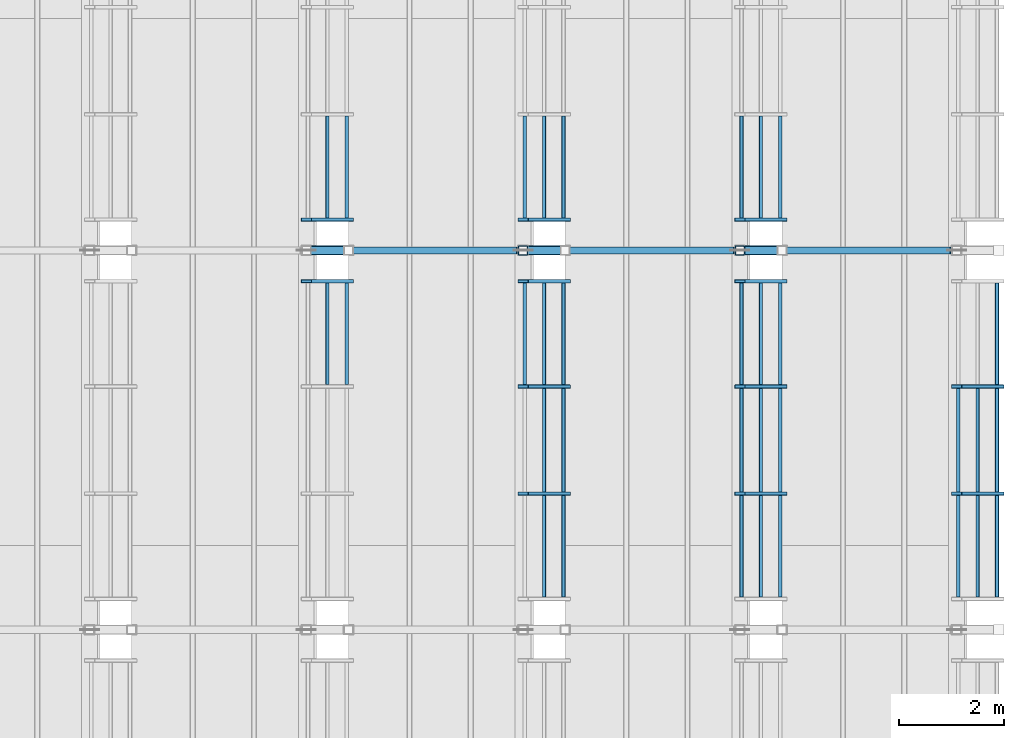
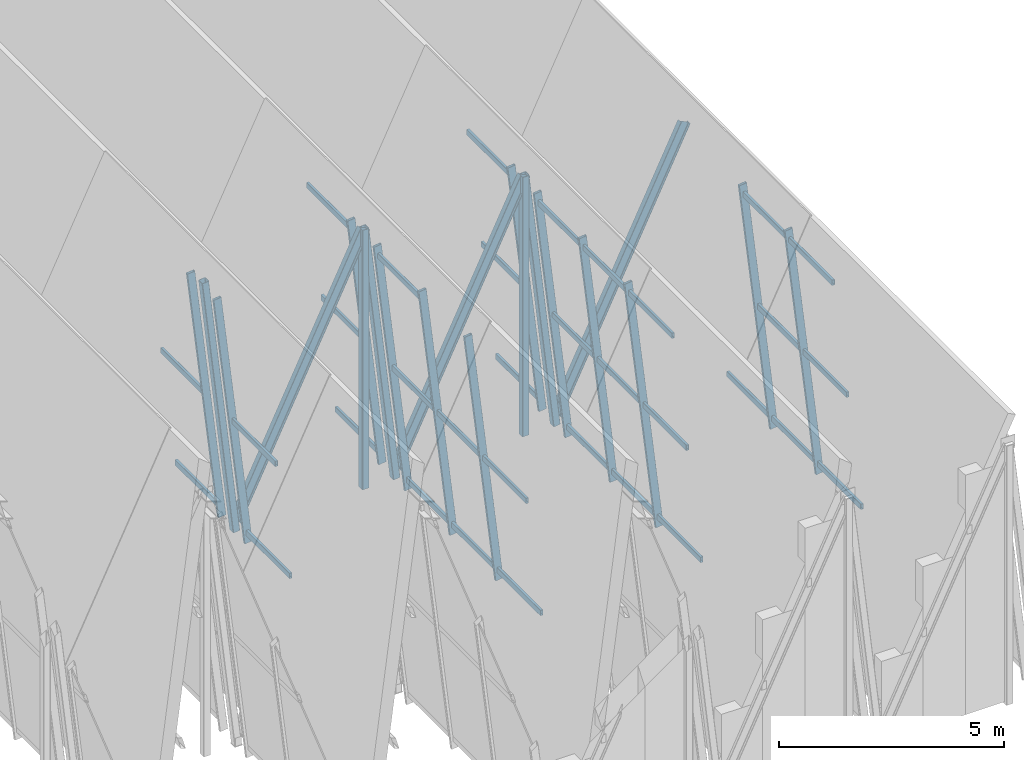
# One storey, part 5 of 28: 53 members, 7 elements without a shape of their own.
"""IFC4 building model written with IfcOpenShell, lengths in metres."""

from ifc_helpers import new_model, si_unit, direction, frame, origin, origin_2d, place, context, subcontext, project, spatial, hollow_rectangle, i_section, extrude, material, material_profile, profile_set, type_object, element, aggregate, save


model = new_model("IFC4")

# Units and contexts
model_context = context("Model", 3, precision=1e-05, world=origin(), true_north=direction((0.0, 1.0)))
body_context = subcontext(model_context, "Body", "Model", "MODEL_VIEW")
ifc_project = project(units=[si_unit("LENGTHUNIT", "METRE"), si_unit("AREAUNIT", "SQUARE_METRE"), si_unit("VOLUMEUNIT", "CUBIC_METRE"), si_unit("PLANEANGLEUNIT", "RADIAN"), si_unit("MASSUNIT", "GRAM", prefix="KILO")], contexts=[model_context])

# Site, building, storey
site_placement = place(None, origin())
site = spatial("IfcSite", under=ifc_project, at=site_placement, CompositionType="ELEMENT")
building_placement = place(site_placement, origin())
building = spatial("IfcBuilding", under=site, at=building_placement, Name="Bramveld Media Centre", CompositionType="ELEMENT")
storey_placement = place(building_placement, frame((0.0, 0.0, 33.89990234375)))
storey = spatial("IfcBuildingStorey", under=building, at=storey_placement, Name="ROOF", CompositionType="ELEMENT", Elevation=33.89990234375)

# Curtain wall, member
ifc_material_1 = material(Name="Thermally broken anodized bronze aluminium unitized curtain wall with solar-control triple glazing", Category="aluminium")
curtain_wall_type = type_object("IfcCurtainWallType", Name="CW-CRN-6100x6941", PredefinedType="NOTDEFINED", material=ifc_material_1)
curtain_wall_1_placement = place(storey_placement, origin())
curtain_wall_1 = element("IfcCurtainWall", 1, at=curtain_wall_1_placement, inside=storey, type_object=curtain_wall_type, Name="V7 crown clerestory B4-S2", PredefinedType="NOTDEFINED")
ifc_material_2 = material(Name="Thermally broken anodized bronze aluminium EN AW-6063 T6 curtain-wall framing", Category="aluminium")
ifc_material_profile_1 = material_profile(ifc_material_2, hollow_rectangle(XDim=0.070068359375, YDim=0.199951171875, WallThickness=0.00439453125, InnerFilletRadius=0.00439453125, OuterFilletRadius=0.009033203125, at=origin_2d()), Name="AL-MULL 70x200")
ifc_profile_set_1 = profile_set([ifc_material_profile_1], Name="Thermally broken anodized bronze aluminium EN AW-6063 T6 curtain-wall framing")
member_type_1 = type_object("IfcMemberType", Name="CW-MULL-SLP", PredefinedType="MULLION", material=ifc_profile_set_1)
member_1_placement = place(storey_placement, frame((147.656982421875, 97.014892578125, -0.02001953125), z_axis=(-0.115228868081, 0.0, 0.993338969315), x_axis=(0.0, -1.0, 0.0)))
member_1 = element("IfcMember", 2, at=member_1_placement, type_object=member_type_1, Name="CW-CR-6169 sloped mullion 4", PredefinedType="MULLION", context=body_context, shape_type="SweptSolid", body=[
    extrude(hollow_rectangle(XDim=0.070068359375, YDim=0.199951171875, WallThickness=0.00439453125, InnerFilletRadius=0.00439453125, OuterFilletRadius=0.009033203125, at=origin_2d()), origin(), (0.0, 0.0, 1.0), 6.94091796875),
])

curtain_wall_2_placement = place(storey_placement, origin())
curtain_wall_2 = element("IfcCurtainWall", 3, at=curtain_wall_2_placement, inside=storey, type_object=curtain_wall_type, Name="V7 crown clerestory B4-S3", PredefinedType="NOTDEFINED")
member_2_placement = place(storey_placement, frame((147.656982421875, 98.18505859375, -0.02001953125), z_axis=(-0.115228868081, 0.0, 0.993338969315), x_axis=(0.0, -1.0, 0.0)))
member_2 = element("IfcMember", 4, at=member_2_placement, type_object=member_type_1, Name="CW-CR-6169 sloped mullion 1", PredefinedType="MULLION", context=body_context, shape_type="SweptSolid", body=[
    extrude(hollow_rectangle(XDim=0.070068359375, YDim=0.199951171875, WallThickness=0.00439453125, InnerFilletRadius=0.00439453125, OuterFilletRadius=0.009033203125, at=origin_2d()), origin(), (0.0, 0.0, 1.0), 6.94091796875),
])

# Curtain wall, members
curtain_wall_3_placement = place(storey_placement, origin())
curtain_wall_3 = element("IfcCurtainWall", 5, at=curtain_wall_3_placement, inside=storey, type_object=curtain_wall_type, Name="V7 crown clerestory B5-S2", PredefinedType="NOTDEFINED")
member_3_placement = place(storey_placement, frame((151.771484375, 92.9833984375, -0.02001953125), z_axis=(-0.115263574492, 0.0, 0.993334942703), x_axis=(0.0, -1.0, 0.0)))
member_3 = element("IfcMember", 6, at=member_3_placement, type_object=member_type_1, Name="CW-CR-6169 sloped mullion 2", PredefinedType="MULLION", context=body_context, shape_type="SweptSolid", body=[
    extrude(hollow_rectangle(XDim=0.070068359375, YDim=0.199951171875, WallThickness=0.00439453125, InnerFilletRadius=0.00439453125, OuterFilletRadius=0.009033203125, at=origin_2d()), origin(), (0.0, 0.0, 1.0), 6.94091796875),
])
member_4_placement = place(storey_placement, frame((151.771484375, 95.0166015625, -0.02001953125), z_axis=(-0.115263574492, 0.0, 0.993334942703), x_axis=(0.0, -1.0, 0.0)))
member_4 = element("IfcMember", 7, at=member_4_placement, type_object=member_type_1, Name="CW-CR-6169 sloped mullion 3", PredefinedType="MULLION", context=body_context, shape_type="SweptSolid", body=[
    extrude(hollow_rectangle(XDim=0.070068359375, YDim=0.199951171875, WallThickness=0.00439453125, InnerFilletRadius=0.00439453125, OuterFilletRadius=0.009033203125, at=origin_2d()), origin(), (0.0, 0.0, 1.0), 6.94091796875),
])
member_5_placement = place(storey_placement, frame((151.771484375, 97.014892578125, -0.02001953125), z_axis=(-0.115263574492, 0.0, 0.993334942703), x_axis=(0.0, -1.0, 0.0)))
member_5 = element("IfcMember", 8, at=member_5_placement, type_object=member_type_1, Name="CW-CR-6169 sloped mullion 4", PredefinedType="MULLION", context=body_context, shape_type="SweptSolid", body=[
    extrude(hollow_rectangle(XDim=0.070068359375, YDim=0.199951171875, WallThickness=0.00439453125, InnerFilletRadius=0.00439453125, OuterFilletRadius=0.009033203125, at=origin_2d()), origin(), (0.0, 0.0, 1.0), 6.94091796875),
])

# Curtain wall, member
curtain_wall_4_placement = place(storey_placement, origin())
curtain_wall_4 = element("IfcCurtainWall", 9, at=curtain_wall_4_placement, inside=storey, type_object=curtain_wall_type, Name="V7 crown clerestory B5-S3", PredefinedType="NOTDEFINED")
member_6_placement = place(storey_placement, frame((151.771484375, 98.18505859375, -0.02001953125), z_axis=(-0.115263574492, 0.0, 0.993334942703), x_axis=(0.0, -1.0, 0.0)))
member_6 = element("IfcMember", 10, at=member_6_placement, type_object=member_type_1, Name="CW-CR-6169 sloped mullion 1", PredefinedType="MULLION", context=body_context, shape_type="SweptSolid", body=[
    extrude(hollow_rectangle(XDim=0.070068359375, YDim=0.199951171875, WallThickness=0.00439453125, InnerFilletRadius=0.00439453125, OuterFilletRadius=0.009033203125, at=origin_2d()), origin(), (0.0, 0.0, 1.0), 6.94091796875),
])

# Curtain wall, members
curtain_wall_5_placement = place(storey_placement, origin())
curtain_wall_5 = element("IfcCurtainWall", 11, at=curtain_wall_5_placement, inside=storey, type_object=curtain_wall_type, Name="V7 crown clerestory B6-S2", PredefinedType="NOTDEFINED")
member_7_placement = place(storey_placement, frame((155.8857421875, 92.9833984375, -0.02001953125), z_axis=(-0.115263574492, 0.0, 0.993334942703), x_axis=(0.0, -1.0, 0.0)))
member_7 = element("IfcMember", 12, at=member_7_placement, type_object=member_type_1, Name="CW-CR-6169 sloped mullion 2", PredefinedType="MULLION", context=body_context, shape_type="SweptSolid", body=[
    extrude(hollow_rectangle(XDim=0.070068359375, YDim=0.199951171875, WallThickness=0.00439453125, InnerFilletRadius=0.00439453125, OuterFilletRadius=0.009033203125, at=origin_2d()), origin(), (0.0, 0.0, 1.0), 6.94091796875),
])
member_8_placement = place(storey_placement, frame((155.8857421875, 95.0166015625, -0.02001953125), z_axis=(-0.115263574492, 0.0, 0.993334942703), x_axis=(0.0, -1.0, 0.0)))
member_8 = element("IfcMember", 13, at=member_8_placement, type_object=member_type_1, Name="CW-CR-6169 sloped mullion 3", PredefinedType="MULLION", context=body_context, shape_type="SweptSolid", body=[
    extrude(hollow_rectangle(XDim=0.070068359375, YDim=0.199951171875, WallThickness=0.00439453125, InnerFilletRadius=0.00439453125, OuterFilletRadius=0.009033203125, at=origin_2d()), origin(), (0.0, 0.0, 1.0), 6.94091796875),
])
member_9_placement = place(storey_placement, frame((155.8857421875, 97.014892578125, -0.02001953125), z_axis=(-0.115263574492, 0.0, 0.993334942703), x_axis=(0.0, -1.0, 0.0)))
member_9 = element("IfcMember", 14, at=member_9_placement, type_object=member_type_1, Name="CW-CR-6169 sloped mullion 4", PredefinedType="MULLION", context=body_context, shape_type="SweptSolid", body=[
    extrude(hollow_rectangle(XDim=0.070068359375, YDim=0.199951171875, WallThickness=0.00439453125, InnerFilletRadius=0.00439453125, OuterFilletRadius=0.009033203125, at=origin_2d()), origin(), (0.0, 0.0, 1.0), 6.94091796875),
])

# Curtain wall, member
curtain_wall_6_placement = place(storey_placement, origin())
curtain_wall_6 = element("IfcCurtainWall", 15, at=curtain_wall_6_placement, inside=storey, type_object=curtain_wall_type, Name="V7 crown clerestory B6-S3", PredefinedType="NOTDEFINED")
member_10_placement = place(storey_placement, frame((155.8857421875, 98.18505859375, -0.02001953125), z_axis=(-0.115263574492, 0.0, 0.993334942703), x_axis=(0.0, -1.0, 0.0)))
member_10 = element("IfcMember", 16, at=member_10_placement, type_object=member_type_1, Name="CW-CR-6169 sloped mullion 1", PredefinedType="MULLION", context=body_context, shape_type="SweptSolid", body=[
    extrude(hollow_rectangle(XDim=0.070068359375, YDim=0.199951171875, WallThickness=0.00439453125, InnerFilletRadius=0.00439453125, OuterFilletRadius=0.009033203125, at=origin_2d()), origin(), (0.0, 0.0, 1.0), 6.94091796875),
])

# Curtain wall, members
curtain_wall_7_placement = place(storey_placement, origin())
curtain_wall_7 = element("IfcCurtainWall", 17, at=curtain_wall_7_placement, inside=storey, type_object=curtain_wall_type, Name="V7 crown clerestory B7-S2", PredefinedType="NOTDEFINED")
member_11_placement = place(storey_placement, frame((160.0, 92.9833984375, -0.02001953125), z_axis=(-0.115263574492, 0.0, 0.993334942703), x_axis=(0.0, -1.0, 0.0)))
member_11 = element("IfcMember", 18, at=member_11_placement, type_object=member_type_1, Name="CW-CR-6169 sloped mullion 2", PredefinedType="MULLION", context=body_context, shape_type="SweptSolid", body=[
    extrude(hollow_rectangle(XDim=0.070068359375, YDim=0.199951171875, WallThickness=0.00439453125, InnerFilletRadius=0.00439453125, OuterFilletRadius=0.009033203125, at=origin_2d()), origin(), (0.0, 0.0, 1.0), 6.94091796875),
])
member_12_placement = place(storey_placement, frame((160.0, 95.0166015625, -0.02001953125), z_axis=(-0.115263574492, 0.0, 0.993334942703), x_axis=(0.0, -1.0, 0.0)))
member_12 = element("IfcMember", 19, at=member_12_placement, type_object=member_type_1, Name="CW-CR-6169 sloped mullion 3", PredefinedType="MULLION", context=body_context, shape_type="SweptSolid", body=[
    extrude(hollow_rectangle(XDim=0.070068359375, YDim=0.199951171875, WallThickness=0.00439453125, InnerFilletRadius=0.00439453125, OuterFilletRadius=0.009033203125, at=origin_2d()), origin(), (0.0, 0.0, 1.0), 6.94091796875),
])

# Member
ifc_material_3 = material(Name="Thermally broken anodized bronze aluminium EN AW-6063 T6 curtain-wall framing", Category="aluminium")
ifc_material_profile_2 = material_profile(ifc_material_3, hollow_rectangle(XDim=0.070068359375, YDim=0.14990234375, WallThickness=0.00390625, InnerFilletRadius=0.00390625, OuterFilletRadius=0.008056640625, at=origin_2d()), Name="AL-TRAN 70x150")
ifc_profile_set_2 = profile_set([ifc_material_profile_2], Name="Thermally broken anodized bronze aluminium EN AW-6063 T6 curtain-wall framing")
member_type_2 = type_object("IfcMemberType", Name="CW-TRAN-SLP", PredefinedType="USERDEFINED", material=ifc_profile_set_2)
member_13_placement = place(storey_placement, frame((147.625, 95.0517578125, 0.255859375), z_axis=(0.0, 1.0, 0.0), x_axis=(-1.0, 0.0, 0.0)))
member_13 = element("IfcMember", 20, at=member_13_placement, type_object=member_type_2, Name="CW-CR-6169 transom 3.1", ObjectType="TRANSOM", PredefinedType="USERDEFINED", context=body_context, shape_type="SweptSolid", body=[
    extrude(hollow_rectangle(XDim=0.070068359375, YDim=0.14990234375, WallThickness=0.00390625, InnerFilletRadius=0.00390625, OuterFilletRadius=0.008056640625, at=origin_2d()), origin(), (0.0, 0.0, 1.0), 1.92822265625),
])

member_14_placement = place(storey_placement, frame((147.257080078125, 95.0517578125, 3.427490234375), z_axis=(0.0, 1.0, 0.0), x_axis=(-1.0, 0.0, 0.0)))
member_14 = element("IfcMember", 21, at=member_14_placement, type_object=member_type_2, Name="CW-CR-6169 transom 3.2", ObjectType="TRANSOM", PredefinedType="USERDEFINED", context=body_context, shape_type="SweptSolid", body=[
    extrude(hollow_rectangle(XDim=0.070068359375, YDim=0.14990234375, WallThickness=0.00390625, InnerFilletRadius=0.00390625, OuterFilletRadius=0.008056640625, at=origin_2d()), origin(), (0.0, 0.0, 1.0), 1.92822265625),
])

aggregate(curtain_wall_1, [member_1, member_13, member_14])

member_15_placement = place(storey_placement, frame((147.625, 98.219970703125, 0.255859375), z_axis=(0.0, 1.0, 0.0), x_axis=(-1.0, 0.0, 0.0)))
member_15 = element("IfcMember", 22, at=member_15_placement, type_object=member_type_2, Name="CW-CR-6169 transom 1.1", ObjectType="TRANSOM", PredefinedType="USERDEFINED", context=body_context, shape_type="SweptSolid", body=[
    extrude(hollow_rectangle(XDim=0.070068359375, YDim=0.14990234375, WallThickness=0.00390625, InnerFilletRadius=0.00390625, OuterFilletRadius=0.008056640625, at=origin_2d()), origin(), (0.0, 0.0, 1.0), 1.92822265625),
])

member_16_placement = place(storey_placement, frame((147.257080078125, 98.219970703125, 3.427490234375), z_axis=(0.0, 1.0, 0.0), x_axis=(-1.0, 0.0, 0.0)))
member_16 = element("IfcMember", 23, at=member_16_placement, type_object=member_type_2, Name="CW-CR-6169 transom 1.2", ObjectType="TRANSOM", PredefinedType="USERDEFINED", context=body_context, shape_type="SweptSolid", body=[
    extrude(hollow_rectangle(XDim=0.070068359375, YDim=0.14990234375, WallThickness=0.00390625, InnerFilletRadius=0.00390625, OuterFilletRadius=0.008056640625, at=origin_2d()), origin(), (0.0, 0.0, 1.0), 1.92822265625),
])

aggregate(curtain_wall_2, [member_2, member_15, member_16])

member_17_placement = place(storey_placement, frame((151.739501953125, 91.02001953125, 0.255859375), z_axis=(0.0, 1.0, 0.0), x_axis=(-1.0, 0.0, 0.0)))
member_17 = element("IfcMember", 24, at=member_17_placement, type_object=member_type_2, Name="CW-CR-6169 transom 1.1", ObjectType="TRANSOM", PredefinedType="USERDEFINED", context=body_context, shape_type="SweptSolid", body=[
    extrude(hollow_rectangle(XDim=0.070068359375, YDim=0.14990234375, WallThickness=0.00390625, InnerFilletRadius=0.00390625, OuterFilletRadius=0.008056640625, at=origin_2d()), origin(), (0.0, 0.0, 1.0), 1.92822265625),
])

member_18_placement = place(storey_placement, frame((151.371337890625, 91.02001953125, 3.427490234375), z_axis=(0.0, 1.0, 0.0), x_axis=(-1.0, 0.0, 0.0)))
member_18 = element("IfcMember", 25, at=member_18_placement, type_object=member_type_2, Name="CW-CR-6169 transom 1.2", ObjectType="TRANSOM", PredefinedType="USERDEFINED", context=body_context, shape_type="SweptSolid", body=[
    extrude(hollow_rectangle(XDim=0.070068359375, YDim=0.14990234375, WallThickness=0.00390625, InnerFilletRadius=0.00390625, OuterFilletRadius=0.008056640625, at=origin_2d()), origin(), (0.0, 0.0, 1.0), 1.92822265625),
])

member_19_placement = place(storey_placement, frame((151.739501953125, 93.018310546875, 0.255859375), z_axis=(0.0, 1.0, 0.0), x_axis=(-1.0, 0.0, 0.0)))
member_19 = element("IfcMember", 26, at=member_19_placement, type_object=member_type_2, Name="CW-CR-6169 transom 2.1", ObjectType="TRANSOM", PredefinedType="USERDEFINED", context=body_context, shape_type="SweptSolid", body=[
    extrude(hollow_rectangle(XDim=0.070068359375, YDim=0.14990234375, WallThickness=0.00390625, InnerFilletRadius=0.00390625, OuterFilletRadius=0.008056640625, at=origin_2d()), origin(), (0.0, 0.0, 1.0), 1.96337890625),
])

member_20_placement = place(storey_placement, frame((151.371337890625, 93.018310546875, 3.427490234375), z_axis=(0.0, 1.0, 0.0), x_axis=(-1.0, 0.0, 0.0)))
member_20 = element("IfcMember", 27, at=member_20_placement, type_object=member_type_2, Name="CW-CR-6169 transom 2.2", ObjectType="TRANSOM", PredefinedType="USERDEFINED", context=body_context, shape_type="SweptSolid", body=[
    extrude(hollow_rectangle(XDim=0.070068359375, YDim=0.14990234375, WallThickness=0.00390625, InnerFilletRadius=0.00390625, OuterFilletRadius=0.008056640625, at=origin_2d()), origin(), (0.0, 0.0, 1.0), 1.96337890625),
])

member_21_placement = place(storey_placement, frame((151.739501953125, 95.0517578125, 0.255859375), z_axis=(0.0, 1.0, 0.0), x_axis=(-1.0, 0.0, 0.0)))
member_21 = element("IfcMember", 28, at=member_21_placement, type_object=member_type_2, Name="CW-CR-6169 transom 3.1", ObjectType="TRANSOM", PredefinedType="USERDEFINED", context=body_context, shape_type="SweptSolid", body=[
    extrude(hollow_rectangle(XDim=0.070068359375, YDim=0.14990234375, WallThickness=0.00390625, InnerFilletRadius=0.00390625, OuterFilletRadius=0.008056640625, at=origin_2d()), origin(), (0.0, 0.0, 1.0), 1.92822265625),
])

member_22_placement = place(storey_placement, frame((151.371337890625, 95.0517578125, 3.427490234375), z_axis=(0.0, 1.0, 0.0), x_axis=(-1.0, 0.0, 0.0)))
member_22 = element("IfcMember", 29, at=member_22_placement, type_object=member_type_2, Name="CW-CR-6169 transom 3.2", ObjectType="TRANSOM", PredefinedType="USERDEFINED", context=body_context, shape_type="SweptSolid", body=[
    extrude(hollow_rectangle(XDim=0.070068359375, YDim=0.14990234375, WallThickness=0.00390625, InnerFilletRadius=0.00390625, OuterFilletRadius=0.008056640625, at=origin_2d()), origin(), (0.0, 0.0, 1.0), 1.92822265625),
])

member_23_placement = place(storey_placement, frame((151.00341796875, 95.0517578125, 6.598876953125), z_axis=(0.0, 1.0, 0.0), x_axis=(-1.0, 0.0, 0.0)))
member_23 = element("IfcMember", 30, at=member_23_placement, type_object=member_type_2, Name="CW-CR-6169 transom 3.3", ObjectType="TRANSOM", PredefinedType="USERDEFINED", context=body_context, shape_type="SweptSolid", body=[
    extrude(hollow_rectangle(XDim=0.070068359375, YDim=0.14990234375, WallThickness=0.00390625, InnerFilletRadius=0.00390625, OuterFilletRadius=0.008056640625, at=origin_2d()), origin(), (0.0, 0.0, 1.0), 1.92822265625),
])

aggregate(curtain_wall_3, [member_3, member_4, member_5, member_17, member_18, member_19, member_20, member_21, member_22, member_23])

member_24_placement = place(storey_placement, frame((151.739501953125, 98.219970703125, 0.255859375), z_axis=(0.0, 1.0, 0.0), x_axis=(-1.0, 0.0, 0.0)))
member_24 = element("IfcMember", 31, at=member_24_placement, type_object=member_type_2, Name="CW-CR-6169 transom 1.1", ObjectType="TRANSOM", PredefinedType="USERDEFINED", context=body_context, shape_type="SweptSolid", body=[
    extrude(hollow_rectangle(XDim=0.070068359375, YDim=0.14990234375, WallThickness=0.00390625, InnerFilletRadius=0.00390625, OuterFilletRadius=0.008056640625, at=origin_2d()), origin(), (0.0, 0.0, 1.0), 1.92822265625),
])

member_25_placement = place(storey_placement, frame((151.371337890625, 98.219970703125, 3.427490234375), z_axis=(0.0, 1.0, 0.0), x_axis=(-1.0, 0.0, 0.0)))
member_25 = element("IfcMember", 32, at=member_25_placement, type_object=member_type_2, Name="CW-CR-6169 transom 1.2", ObjectType="TRANSOM", PredefinedType="USERDEFINED", context=body_context, shape_type="SweptSolid", body=[
    extrude(hollow_rectangle(XDim=0.070068359375, YDim=0.14990234375, WallThickness=0.00390625, InnerFilletRadius=0.00390625, OuterFilletRadius=0.008056640625, at=origin_2d()), origin(), (0.0, 0.0, 1.0), 1.92822265625),
])

member_26_placement = place(storey_placement, frame((151.00341796875, 98.219970703125, 6.598876953125), z_axis=(0.0, 1.0, 0.0), x_axis=(-1.0, 0.0, 0.0)))
member_26 = element("IfcMember", 33, at=member_26_placement, type_object=member_type_2, Name="CW-CR-6169 transom 1.3", ObjectType="TRANSOM", PredefinedType="USERDEFINED", context=body_context, shape_type="SweptSolid", body=[
    extrude(hollow_rectangle(XDim=0.070068359375, YDim=0.14990234375, WallThickness=0.00390625, InnerFilletRadius=0.00390625, OuterFilletRadius=0.008056640625, at=origin_2d()), origin(), (0.0, 0.0, 1.0), 1.92822265625),
])

aggregate(curtain_wall_4, [member_6, member_24, member_25, member_26])

member_27_placement = place(storey_placement, frame((155.853759765625, 91.02001953125, 0.255859375), z_axis=(0.0, 1.0, 0.0), x_axis=(-1.0, 0.0, 0.0)))
member_27 = element("IfcMember", 34, at=member_27_placement, type_object=member_type_2, Name="CW-CR-6169 transom 1.1", ObjectType="TRANSOM", PredefinedType="USERDEFINED", context=body_context, shape_type="SweptSolid", body=[
    extrude(hollow_rectangle(XDim=0.070068359375, YDim=0.14990234375, WallThickness=0.00390625, InnerFilletRadius=0.00390625, OuterFilletRadius=0.008056640625, at=origin_2d()), origin(), (0.0, 0.0, 1.0), 1.92822265625),
])

member_28_placement = place(storey_placement, frame((155.485595703125, 91.02001953125, 3.427490234375), z_axis=(0.0, 1.0, 0.0), x_axis=(-1.0, 0.0, 0.0)))
member_28 = element("IfcMember", 35, at=member_28_placement, type_object=member_type_2, Name="CW-CR-6169 transom 1.2", ObjectType="TRANSOM", PredefinedType="USERDEFINED", context=body_context, shape_type="SweptSolid", body=[
    extrude(hollow_rectangle(XDim=0.070068359375, YDim=0.14990234375, WallThickness=0.00390625, InnerFilletRadius=0.00390625, OuterFilletRadius=0.008056640625, at=origin_2d()), origin(), (0.0, 0.0, 1.0), 1.92822265625),
])

member_29_placement = place(storey_placement, frame((155.11767578125, 91.02001953125, 6.598876953125), z_axis=(0.0, 1.0, 0.0), x_axis=(-1.0, 0.0, 0.0)))
member_29 = element("IfcMember", 36, at=member_29_placement, type_object=member_type_2, Name="CW-CR-6169 transom 1.3", ObjectType="TRANSOM", PredefinedType="USERDEFINED", context=body_context, shape_type="SweptSolid", body=[
    extrude(hollow_rectangle(XDim=0.070068359375, YDim=0.14990234375, WallThickness=0.00390625, InnerFilletRadius=0.00390625, OuterFilletRadius=0.008056640625, at=origin_2d()), origin(), (0.0, 0.0, 1.0), 1.92822265625),
])

member_30_placement = place(storey_placement, frame((155.853759765625, 93.018310546875, 0.255859375), z_axis=(0.0, 1.0, 0.0), x_axis=(-1.0, 0.0, 0.0)))
member_30 = element("IfcMember", 37, at=member_30_placement, type_object=member_type_2, Name="CW-CR-6169 transom 2.1", ObjectType="TRANSOM", PredefinedType="USERDEFINED", context=body_context, shape_type="SweptSolid", body=[
    extrude(hollow_rectangle(XDim=0.070068359375, YDim=0.14990234375, WallThickness=0.00390625, InnerFilletRadius=0.00390625, OuterFilletRadius=0.008056640625, at=origin_2d()), origin(), (0.0, 0.0, 1.0), 1.96337890625),
])

member_31_placement = place(storey_placement, frame((155.485595703125, 93.018310546875, 3.427490234375), z_axis=(0.0, 1.0, 0.0), x_axis=(-1.0, 0.0, 0.0)))
member_31 = element("IfcMember", 38, at=member_31_placement, type_object=member_type_2, Name="CW-CR-6169 transom 2.2", ObjectType="TRANSOM", PredefinedType="USERDEFINED", context=body_context, shape_type="SweptSolid", body=[
    extrude(hollow_rectangle(XDim=0.070068359375, YDim=0.14990234375, WallThickness=0.00390625, InnerFilletRadius=0.00390625, OuterFilletRadius=0.008056640625, at=origin_2d()), origin(), (0.0, 0.0, 1.0), 1.96337890625),
])

member_32_placement = place(storey_placement, frame((155.11767578125, 93.018310546875, 6.598876953125), z_axis=(0.0, 1.0, 0.0), x_axis=(-1.0, 0.0, 0.0)))
member_32 = element("IfcMember", 39, at=member_32_placement, type_object=member_type_2, Name="CW-CR-6169 transom 2.3", ObjectType="TRANSOM", PredefinedType="USERDEFINED", context=body_context, shape_type="SweptSolid", body=[
    extrude(hollow_rectangle(XDim=0.070068359375, YDim=0.14990234375, WallThickness=0.00390625, InnerFilletRadius=0.00390625, OuterFilletRadius=0.008056640625, at=origin_2d()), origin(), (0.0, 0.0, 1.0), 1.96337890625),
])

member_33_placement = place(storey_placement, frame((155.853759765625, 95.0517578125, 0.255859375), z_axis=(0.0, 1.0, 0.0), x_axis=(-1.0, 0.0, 0.0)))
member_33 = element("IfcMember", 40, at=member_33_placement, type_object=member_type_2, Name="CW-CR-6169 transom 3.1", ObjectType="TRANSOM", PredefinedType="USERDEFINED", context=body_context, shape_type="SweptSolid", body=[
    extrude(hollow_rectangle(XDim=0.070068359375, YDim=0.14990234375, WallThickness=0.00390625, InnerFilletRadius=0.00390625, OuterFilletRadius=0.008056640625, at=origin_2d()), origin(), (0.0, 0.0, 1.0), 1.92822265625),
])

member_34_placement = place(storey_placement, frame((155.485595703125, 95.0517578125, 3.427490234375), z_axis=(0.0, 1.0, 0.0), x_axis=(-1.0, 0.0, 0.0)))
member_34 = element("IfcMember", 41, at=member_34_placement, type_object=member_type_2, Name="CW-CR-6169 transom 3.2", ObjectType="TRANSOM", PredefinedType="USERDEFINED", context=body_context, shape_type="SweptSolid", body=[
    extrude(hollow_rectangle(XDim=0.070068359375, YDim=0.14990234375, WallThickness=0.00390625, InnerFilletRadius=0.00390625, OuterFilletRadius=0.008056640625, at=origin_2d()), origin(), (0.0, 0.0, 1.0), 1.92822265625),
])

member_35_placement = place(storey_placement, frame((155.11767578125, 95.0517578125, 6.598876953125), z_axis=(0.0, 1.0, 0.0), x_axis=(-1.0, 0.0, 0.0)))
member_35 = element("IfcMember", 42, at=member_35_placement, type_object=member_type_2, Name="CW-CR-6169 transom 3.3", ObjectType="TRANSOM", PredefinedType="USERDEFINED", context=body_context, shape_type="SweptSolid", body=[
    extrude(hollow_rectangle(XDim=0.070068359375, YDim=0.14990234375, WallThickness=0.00390625, InnerFilletRadius=0.00390625, OuterFilletRadius=0.008056640625, at=origin_2d()), origin(), (0.0, 0.0, 1.0), 1.92822265625),
])

aggregate(curtain_wall_5, [member_7, member_8, member_9, member_27, member_28, member_29, member_30, member_31, member_32, member_33, member_34, member_35])

member_36_placement = place(storey_placement, frame((155.853759765625, 98.219970703125, 0.255859375), z_axis=(0.0, 1.0, 0.0), x_axis=(-1.0, 0.0, 0.0)))
member_36 = element("IfcMember", 43, at=member_36_placement, type_object=member_type_2, Name="CW-CR-6169 transom 1.1", ObjectType="TRANSOM", PredefinedType="USERDEFINED", context=body_context, shape_type="SweptSolid", body=[
    extrude(hollow_rectangle(XDim=0.070068359375, YDim=0.14990234375, WallThickness=0.00390625, InnerFilletRadius=0.00390625, OuterFilletRadius=0.008056640625, at=origin_2d()), origin(), (0.0, 0.0, 1.0), 1.92822265625),
])

member_37_placement = place(storey_placement, frame((155.485595703125, 98.219970703125, 3.427490234375), z_axis=(0.0, 1.0, 0.0), x_axis=(-1.0, 0.0, 0.0)))
member_37 = element("IfcMember", 44, at=member_37_placement, type_object=member_type_2, Name="CW-CR-6169 transom 1.2", ObjectType="TRANSOM", PredefinedType="USERDEFINED", context=body_context, shape_type="SweptSolid", body=[
    extrude(hollow_rectangle(XDim=0.070068359375, YDim=0.14990234375, WallThickness=0.00390625, InnerFilletRadius=0.00390625, OuterFilletRadius=0.008056640625, at=origin_2d()), origin(), (0.0, 0.0, 1.0), 1.92822265625),
])

member_38_placement = place(storey_placement, frame((155.11767578125, 98.219970703125, 6.598876953125), z_axis=(0.0, 1.0, 0.0), x_axis=(-1.0, 0.0, 0.0)))
member_38 = element("IfcMember", 45, at=member_38_placement, type_object=member_type_2, Name="CW-CR-6169 transom 1.3", ObjectType="TRANSOM", PredefinedType="USERDEFINED", context=body_context, shape_type="SweptSolid", body=[
    extrude(hollow_rectangle(XDim=0.070068359375, YDim=0.14990234375, WallThickness=0.00390625, InnerFilletRadius=0.00390625, OuterFilletRadius=0.008056640625, at=origin_2d()), origin(), (0.0, 0.0, 1.0), 1.92822265625),
])

aggregate(curtain_wall_6, [member_10, member_36, member_37, member_38])

member_39_placement = place(storey_placement, frame((159.968017578125, 91.02001953125, 0.255859375), z_axis=(0.0, 1.0, 0.0), x_axis=(-1.0, 0.0, 0.0)))
member_39 = element("IfcMember", 46, at=member_39_placement, type_object=member_type_2, Name="CW-CR-6169 transom 1.1", ObjectType="TRANSOM", PredefinedType="USERDEFINED", context=body_context, shape_type="SweptSolid", body=[
    extrude(hollow_rectangle(XDim=0.070068359375, YDim=0.14990234375, WallThickness=0.00390625, InnerFilletRadius=0.00390625, OuterFilletRadius=0.008056640625, at=origin_2d()), origin(), (0.0, 0.0, 1.0), 1.92822265625),
])

member_40_placement = place(storey_placement, frame((159.60009765625, 91.02001953125, 3.427490234375), z_axis=(0.0, 1.0, 0.0), x_axis=(-1.0, 0.0, 0.0)))
member_40 = element("IfcMember", 47, at=member_40_placement, type_object=member_type_2, Name="CW-CR-6169 transom 1.2", ObjectType="TRANSOM", PredefinedType="USERDEFINED", context=body_context, shape_type="SweptSolid", body=[
    extrude(hollow_rectangle(XDim=0.070068359375, YDim=0.14990234375, WallThickness=0.00390625, InnerFilletRadius=0.00390625, OuterFilletRadius=0.008056640625, at=origin_2d()), origin(), (0.0, 0.0, 1.0), 1.92822265625),
])

member_41_placement = place(storey_placement, frame((159.23193359375, 91.02001953125, 6.598876953125), z_axis=(0.0, 1.0, 0.0), x_axis=(-1.0, 0.0, 0.0)))
member_41 = element("IfcMember", 48, at=member_41_placement, type_object=member_type_2, Name="CW-CR-6169 transom 1.3", ObjectType="TRANSOM", PredefinedType="USERDEFINED", context=body_context, shape_type="SweptSolid", body=[
    extrude(hollow_rectangle(XDim=0.070068359375, YDim=0.14990234375, WallThickness=0.00390625, InnerFilletRadius=0.00390625, OuterFilletRadius=0.008056640625, at=origin_2d()), origin(), (0.0, 0.0, 1.0), 1.92822265625),
])

member_42_placement = place(storey_placement, frame((159.968017578125, 93.018310546875, 0.255859375), z_axis=(0.0, 1.0, 0.0), x_axis=(-1.0, 0.0, 0.0)))
member_42 = element("IfcMember", 49, at=member_42_placement, type_object=member_type_2, Name="CW-CR-6169 transom 2.1", ObjectType="TRANSOM", PredefinedType="USERDEFINED", context=body_context, shape_type="SweptSolid", body=[
    extrude(hollow_rectangle(XDim=0.070068359375, YDim=0.14990234375, WallThickness=0.00390625, InnerFilletRadius=0.00390625, OuterFilletRadius=0.008056640625, at=origin_2d()), origin(), (0.0, 0.0, 1.0), 1.96337890625),
])

member_43_placement = place(storey_placement, frame((159.60009765625, 93.018310546875, 3.427490234375), z_axis=(0.0, 1.0, 0.0), x_axis=(-1.0, 0.0, 0.0)))
member_43 = element("IfcMember", 50, at=member_43_placement, type_object=member_type_2, Name="CW-CR-6169 transom 2.2", ObjectType="TRANSOM", PredefinedType="USERDEFINED", context=body_context, shape_type="SweptSolid", body=[
    extrude(hollow_rectangle(XDim=0.070068359375, YDim=0.14990234375, WallThickness=0.00390625, InnerFilletRadius=0.00390625, OuterFilletRadius=0.008056640625, at=origin_2d()), origin(), (0.0, 0.0, 1.0), 1.96337890625),
])

member_44_placement = place(storey_placement, frame((159.23193359375, 93.018310546875, 6.598876953125), z_axis=(0.0, 1.0, 0.0), x_axis=(-1.0, 0.0, 0.0)))
member_44 = element("IfcMember", 51, at=member_44_placement, type_object=member_type_2, Name="CW-CR-6169 transom 2.3", ObjectType="TRANSOM", PredefinedType="USERDEFINED", context=body_context, shape_type="SweptSolid", body=[
    extrude(hollow_rectangle(XDim=0.070068359375, YDim=0.14990234375, WallThickness=0.00390625, InnerFilletRadius=0.00390625, OuterFilletRadius=0.008056640625, at=origin_2d()), origin(), (0.0, 0.0, 1.0), 1.96337890625),
])

member_45_placement = place(storey_placement, frame((159.968017578125, 95.0517578125, 0.255859375), z_axis=(0.0, 1.0, 0.0), x_axis=(-1.0, 0.0, 0.0)))
member_45 = element("IfcMember", 52, at=member_45_placement, type_object=member_type_2, Name="CW-CR-6169 transom 3.1", ObjectType="TRANSOM", PredefinedType="USERDEFINED", context=body_context, shape_type="SweptSolid", body=[
    extrude(hollow_rectangle(XDim=0.070068359375, YDim=0.14990234375, WallThickness=0.00390625, InnerFilletRadius=0.00390625, OuterFilletRadius=0.008056640625, at=origin_2d()), origin(), (0.0, 0.0, 1.0), 1.92822265625),
])

aggregate(curtain_wall_7, [member_11, member_12, member_39, member_40, member_41, member_42, member_43, member_44, member_45])

# Members
ifc_material_4 = material(Name="Steel S355J2H", Category="steel")
ifc_material_profile_3 = material_profile(ifc_material_4, hollow_rectangle(XDim=0.179931640625, YDim=0.179931640625, WallThickness=0.010009765625, InnerFilletRadius=0.010009765625, OuterFilletRadius=0.02001953125, at=origin_2d()), Name="SHS 180x180x10")
ifc_profile_set_3 = profile_set([ifc_material_profile_3], Name="Steel S355J2H")
member_type_3 = type_object("IfcMemberType", Name="MEM-POST-SHS180", PredefinedType="POST", material=ifc_profile_set_3)
for number, where, z_axis, x_axis, name in (
    (53, (150.971435546875, 97.60009765625, -0.0498046875), (0.0, 0.0, 1.0), (1.0, 0.0, 0.0), "CRN-FR-B05-F3 gable kingpost"),
    (54, (155.085693359375, 97.60009765625, -0.0498046875), (0.0, 0.0, 1.0), (1.0, 0.0, 0.0), "CRN-FR-B06-F3 gable kingpost"),
):
    element("IfcMember", number, at=place(storey_placement, frame(where, z_axis=z_axis, x_axis=x_axis)), inside=storey, type_object=member_type_3, Name=name, PredefinedType="POST", context=body_context, shape_type="SweptSolid", body=[
        extrude(hollow_rectangle(XDim=0.179931640625, YDim=0.179931640625, WallThickness=0.010009765625, InnerFilletRadius=0.010009765625, OuterFilletRadius=0.02001953125, at=origin_2d()), origin(), (0.0, 0.0, 1.0), 7.044677734375),
    ])
ifc_material_5 = material(Name="Steel S355J2", Category="steel")
ifc_material_profile_4 = material_profile(ifc_material_5, i_section(OverallWidth=0.135009765625, OverallDepth=0.27001953125, WebThickness=0.006591796875, FlangeThickness=0.01025390625, FilletRadius=0.014892578125, at=origin_2d()), Name="IPE 270")
ifc_profile_set_4 = profile_set([ifc_material_profile_4], Name="Steel S355J2")
member_type_4 = type_object("IfcMemberType", Name="MEM-RAFTER-IPE270", PredefinedType="RAFTER", material=ifc_profile_set_4)
for number, where, z_axis, x_axis, name in (
    (55, (147.656982421875, 97.60009765625, 0.1748046875), (0.437101193692, 0.0, 0.899412333956), (0.0, 1.0, 0.0), "CRN-FR-B05-F3 gable rafter"),
    (56, (151.771484375, 97.60009765625, 0.1748046875), (0.437075147934, 0.0, 0.899424991347), (0.0, 1.0, 0.0), "CRN-FR-B06-F3 gable rafter"),
    (57, (155.8857421875, 97.60009765625, 0.1748046875), (0.437075147934, 0.0, 0.899424991347), (0.0, 1.0, 0.0), "CRN-FR-B07-F3 gable rafter"),
):
    element("IfcMember", number, at=place(storey_placement, frame(where, z_axis=z_axis, x_axis=x_axis)), inside=storey, type_object=member_type_4, Name=name, PredefinedType="RAFTER", context=body_context, shape_type="SweptSolid", body=[
        extrude(i_section(OverallWidth=0.135009765625, OverallDepth=0.27001953125, WebThickness=0.006591796875, FlangeThickness=0.01025390625, FilletRadius=0.014892578125, at=origin_2d()), origin(), (0.0, 0.0, 1.0), 7.582763671875),
    ])
ifc_material_6 = material(Name="Steel S355J2H", Category="steel")
ifc_material_profile_5 = material_profile(ifc_material_6, hollow_rectangle(XDim=0.179931640625, YDim=0.179931640625, WallThickness=0.010009765625, InnerFilletRadius=0.010009765625, OuterFilletRadius=0.02001953125, at=origin_2d()), Name="SHS 180x180x10")
ifc_profile_set_5 = profile_set([ifc_material_profile_5], Name="Steel S355J2H")
member_type_5 = type_object("IfcMemberType", Name="MEM-STRUT-SHS180", PredefinedType="STRUT", material=ifc_profile_set_5)
for number, where, z_axis, x_axis, name in (
    (58, (147.656982421875, 97.60009765625, -0.0498046875), (-0.112808472616, 0.0, 0.993616751321), (0.0, -1.0, 0.0), "CRN-FR-B04-F3 gable strut"),
    (59, (151.771484375, 97.60009765625, -0.0498046875), (-0.112842469029, 0.0, 0.993612891011), (0.0, -1.0, 0.0), "CRN-FR-B05-F3 gable strut"),
    (60, (155.8857421875, 97.60009765625, -0.0498046875), (-0.112842469029, 0.0, 0.993612891011), (0.0, -1.0, 0.0), "CRN-FR-B06-F3 gable strut"),
):
    element("IfcMember", number, at=place(storey_placement, frame(where, z_axis=z_axis, x_axis=x_axis)), inside=storey, type_object=member_type_5, Name=name, PredefinedType="STRUT", context=body_context, shape_type="SweptSolid", body=[
        extrude(hollow_rectangle(XDim=0.179931640625, YDim=0.179931640625, WallThickness=0.010009765625, InnerFilletRadius=0.010009765625, OuterFilletRadius=0.02001953125, at=origin_2d()), origin(), (0.0, 0.0, 1.0), 7.08984375),
    ])

save(model, "model.ifc")
